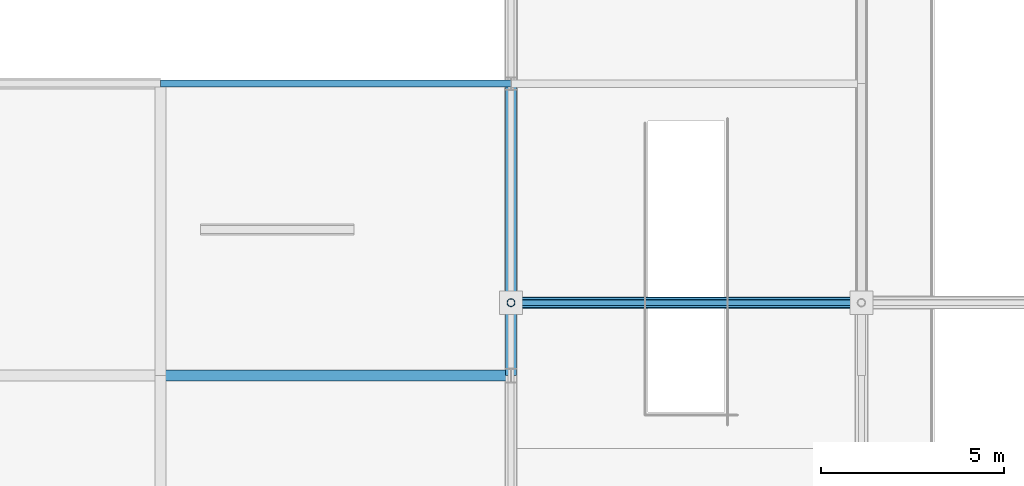
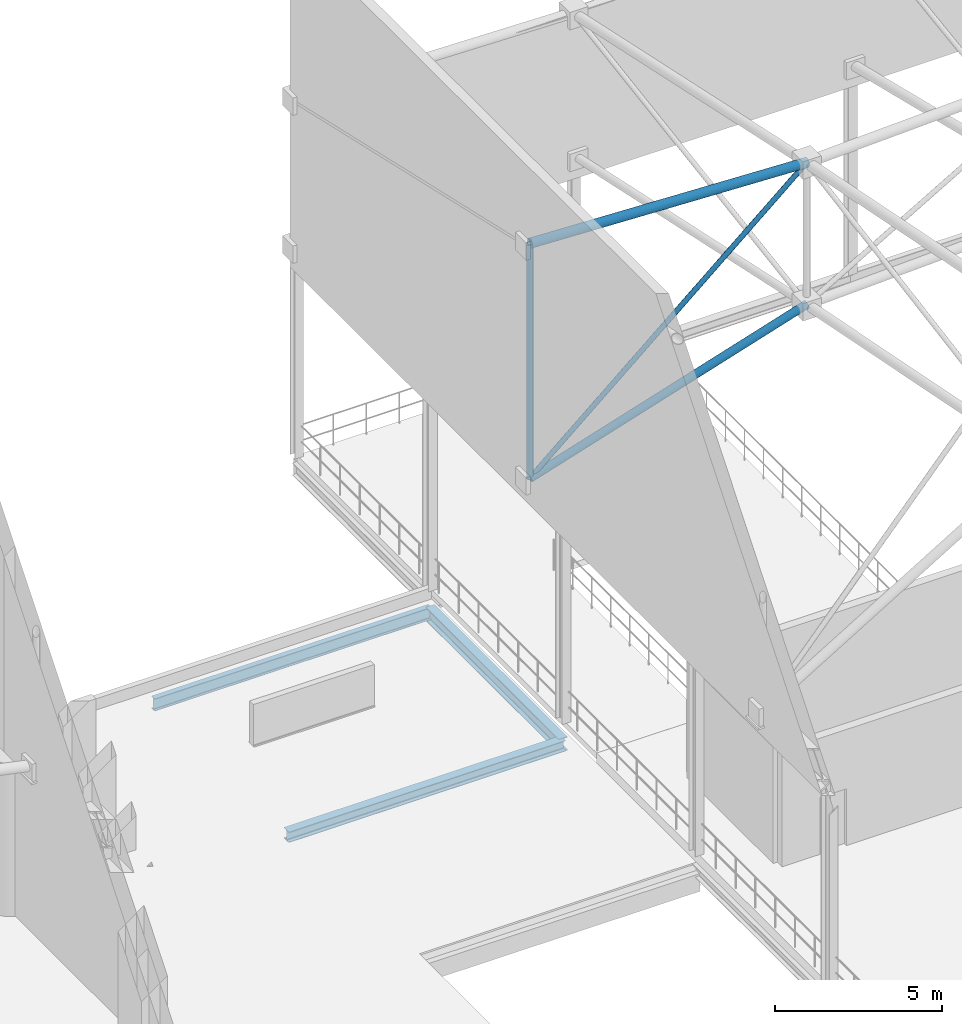
# One storey, part 137 of 193: 4 members, 3 beams.
"""IFC4 building model written with IfcOpenShell, lengths in metres."""

from ifc_helpers import new_model, si_unit, direction, frame, origin, origin_2d, place, context, subcontext, project, spatial, hollow_circle, i_section, extrude, material, material_profile, profile_set, type_object, element, save


model = new_model("IFC4")

# Units and contexts
model_context = context("Model", 3, precision=1e-05, world=origin(), true_north=direction((0.0, 1.0)))
body_context = subcontext(model_context, "Body", "Model", "MODEL_VIEW")
ifc_project = project(units=[si_unit("LENGTHUNIT", "METRE"), si_unit("AREAUNIT", "SQUARE_METRE"), si_unit("VOLUMEUNIT", "CUBIC_METRE"), si_unit("PLANEANGLEUNIT", "RADIAN"), si_unit("MASSUNIT", "GRAM", prefix="KILO")], contexts=[model_context])

# Site, building, storey
site_placement = place(None, origin())
site = spatial("IfcSite", under=ifc_project, at=site_placement, CompositionType="ELEMENT")
building_placement = place(site_placement, origin())
building = spatial("IfcBuilding", under=site, at=building_placement, Name="Danafjord Basin Convention Centre", CompositionType="ELEMENT")
storey_placement = place(building_placement, frame((0.0, 0.0, 11.39990234375)))
storey = spatial("IfcBuildingStorey", under=building, at=storey_placement, Name="L02", CompositionType="ELEMENT", Elevation=11.39990234375)

# Beams
ifc_material = material(Name="Steel S355", Category="steel")
ifc_material_profile_1 = material_profile(ifc_material, i_section(OverallWidth=0.300048828125, OverallDepth=0.389892578125, WebThickness=0.010986328125, FlangeThickness=0.01904296875, FilletRadius=0.027099609375, at=origin_2d()), Name="HEA 400")
ifc_profile_set_1 = profile_set([ifc_material_profile_1], Name="Steel S355")
beam_type_1 = type_object("IfcBeamType", Name="BEAM-BM-HEA400", PredefinedType="BEAM", material=ifc_profile_set_1)
beam_1_placement = place(storey_placement, frame((124.800048828125, 128.0, -0.85986328125), z_axis=(1.0, 0.0, 0.0), x_axis=(0.0, 1.0, 0.0)))
element("IfcBeam", 1, at=beam_1_placement, inside=storey, type_object=beam_type_1, Name="L02 girder BM-HEA400", PredefinedType="BEAM", context=body_context, shape_type="SweptSolid", body=[
    extrude(i_section(OverallWidth=0.300048828125, OverallDepth=0.389892578125, WebThickness=0.010986328125, FlangeThickness=0.01904296875, FilletRadius=0.027099609375, at=origin_2d()), origin(), (0.0, 0.0, 1.0), 9.599853515625),
])
ifc_material_profile_2 = material_profile(ifc_material, i_section(OverallWidth=0.300048828125, OverallDepth=0.5, WebThickness=0.014404296875, FlangeThickness=0.028076171875, FilletRadius=0.027099609375, at=origin_2d()), Name="HEB 500")
ifc_profile_set_2 = profile_set([ifc_material_profile_2], Name="Steel S355")
beam_type_2 = type_object("IfcBeamType", Name="BEAM-BM-HEB500", PredefinedType="BEAM", material=ifc_profile_set_2)
beam_2_placement = place(storey_placement, frame((134.39990234375, 128.0, -0.914794921875), z_axis=(0.0, 1.0, 0.0), x_axis=(-1.0, 0.0, 0.0)))
element("IfcBeam", 2, at=beam_2_placement, inside=storey, type_object=beam_type_2, Name="L02 transverse girder BM-HEB500", PredefinedType="BEAM", context=body_context, shape_type="SweptSolid", body=[
    extrude(i_section(OverallWidth=0.300048828125, OverallDepth=0.5, WebThickness=0.014404296875, FlangeThickness=0.028076171875, FilletRadius=0.027099609375, at=origin_2d()), origin(), (0.0, 0.0, 1.0), 8.0),
])
ifc_material_profile_3 = material_profile(ifc_material, i_section(OverallWidth=0.18994140625, OverallDepth=0.449951171875, WebThickness=0.009521484375, FlangeThickness=0.0146484375, FilletRadius=0.02099609375, at=origin_2d()), Name="IPE 450")
ifc_profile_set_3 = profile_set([ifc_material_profile_3], Name="Steel S355")
beam_type_3 = type_object("IfcBeamType", Name="BEAM-SP-IPE450", PredefinedType="SPANDREL", material=ifc_profile_set_3)
beam_3_placement = place(storey_placement, frame((124.800048828125, 136.0, -0.889892578125), z_axis=(1.0, 0.0, 0.0), x_axis=(0.0, 1.0, 0.0)))
element("IfcBeam", 3, at=beam_3_placement, inside=storey, type_object=beam_type_3, Name="L02 girder SP-IPE450", PredefinedType="SPANDREL", context=body_context, shape_type="SweptSolid", body=[
    extrude(i_section(OverallWidth=0.18994140625, OverallDepth=0.449951171875, WebThickness=0.009521484375, FlangeThickness=0.0146484375, FilletRadius=0.02099609375, at=origin_2d()), origin(), (0.0, 0.0, 1.0), 9.599853515625),
])

# Members
ifc_material_profile_4 = material_profile(ifc_material, hollow_circle(Radius=0.136474609375, WallThickness=0.012451171875, at=origin_2d()), Name="CHS 273.0x12.5")
ifc_profile_set_4 = profile_set([ifc_material_profile_4], Name="Steel S355")
member_type_1 = type_object("IfcMemberType", Name="MEM-CH-CHS273", PredefinedType="CHORD", material=ifc_profile_set_4)
member_1_placement = place(storey_placement, frame((134.39990234375, 130.0, 7.650146484375), z_axis=(0.954030787583, 0.0, 0.299708619069), x_axis=(0.0, 1.0, 0.0)))
element("IfcMember", 4, at=member_1_placement, inside=storey, type_object=member_type_1, Name="V2 roof truss longitudinal bottom chord", PredefinedType="CHORD", context=body_context, shape_type="SweptSolid", body=[
    extrude(hollow_circle(Radius=0.136474609375, WallThickness=0.012451171875, at=origin_2d()), origin(), (0.0, 0.0, 1.0), 10.062744140625),
])
ifc_material_profile_5 = material_profile(ifc_material, hollow_circle(Radius=0.161865234375, WallThickness=0.01611328125, at=origin_2d()), Name="CHS 323.9x16.0")
ifc_profile_set_5 = profile_set([ifc_material_profile_5], Name="Steel S355")
member_type_2 = type_object("IfcMemberType", Name="MEM-CH-CHS324", PredefinedType="CHORD", material=ifc_profile_set_5)
member_2_placement = place(storey_placement, frame((134.39990234375, 130.0, 16.259765625), z_axis=(0.999160768255, 0.0, -0.040960458736), x_axis=(0.0, 1.0, 0.0)))
element("IfcMember", 5, at=member_2_placement, inside=storey, type_object=member_type_2, Name="V2 roof truss longitudinal top chord", PredefinedType="CHORD", context=body_context, shape_type="SweptSolid", body=[
    extrude(hollow_circle(Radius=0.161865234375, WallThickness=0.01611328125, at=origin_2d()), origin(), (0.0, 0.0, 1.0), 9.608154296875),
])
ifc_material_profile_6 = material_profile(ifc_material, hollow_circle(Radius=0.109619140625, WallThickness=0.010009765625, at=origin_2d()), Name="CHS 219.1x10.0")
ifc_profile_set_6 = profile_set([ifc_material_profile_6], Name="Steel S355")
member_type_3 = type_object("IfcMemberType", Name="MEM-ST-CHS219", PredefinedType="STRUT", material=ifc_profile_set_6)
member_3_placement = place(storey_placement, frame((134.39990234375, 130.0, 7.650146484375), z_axis=(0.0, 0.0, 1.0), x_axis=(1.0, 0.0, 0.0)))
element("IfcMember", 6, at=member_3_placement, inside=storey, type_object=member_type_3, Name="V2 roof truss vertical strut", PredefinedType="STRUT", context=body_context, shape_type="SweptSolid", body=[
    extrude(hollow_circle(Radius=0.109619140625, WallThickness=0.010009765625, at=origin_2d()), origin(), (0.0, 0.0, 1.0), 8.609619140625),
])
ifc_material_profile_7 = material_profile(ifc_material, hollow_circle(Radius=0.084228515625, WallThickness=0.008056640625, at=origin_2d()), Name="CHS 168.3x8.0")
ifc_profile_set_7 = profile_set([ifc_material_profile_7], Name="Steel S355")
member_type_4 = type_object("IfcMemberType", Name="MEM-WB-CHS168", PredefinedType="MEMBER", material=ifc_profile_set_7)
member_4_placement = place(storey_placement, frame((134.39990234375, 130.0, 7.650146484375), z_axis=(0.759748735051, 0.0, 0.650216778919), x_axis=(0.0, 1.0, 0.0)))
element("IfcMember", 7, at=member_4_placement, inside=storey, type_object=member_type_4, Name="V2 space-frame longitudinal web", PredefinedType="MEMBER", context=body_context, shape_type="SweptSolid", body=[
    extrude(hollow_circle(Radius=0.084228515625, WallThickness=0.008056640625, at=origin_2d()), origin(), (0.0, 0.0, 1.0), 12.635986328125),
])

save(model, "model.ifc")
